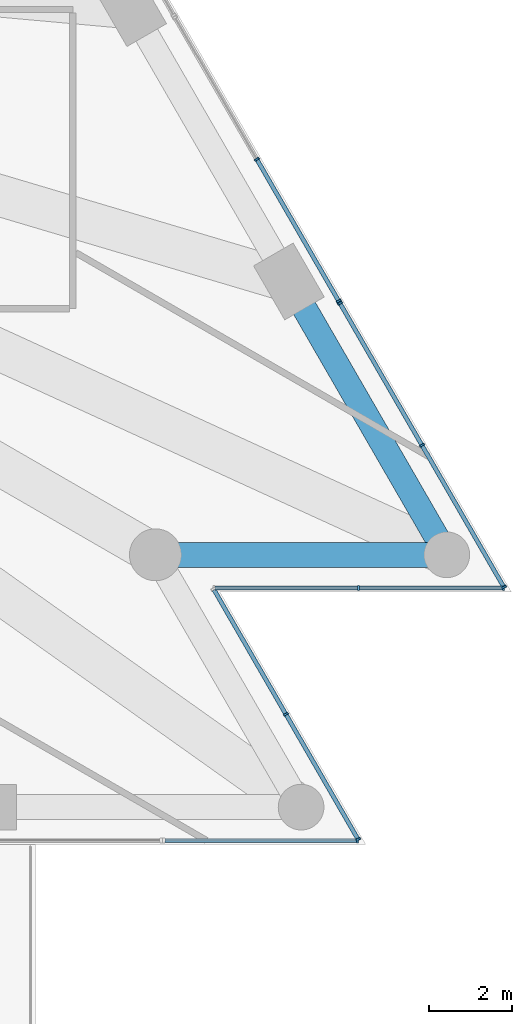
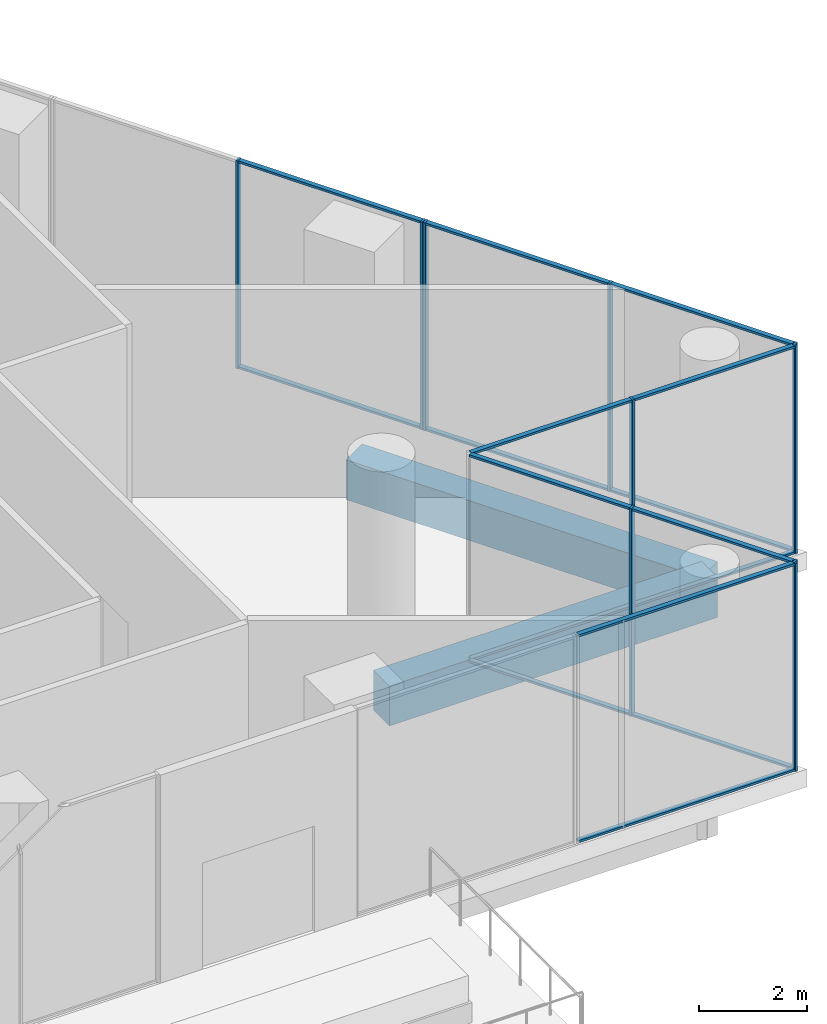
# One storey, part 18 of 28: 26 members, 2 beams, 5 elements without a shape of their own.
"""IFC4 building model written with IfcOpenShell, lengths in metres."""

from ifc_helpers import new_model, si_unit, direction, frame, origin, origin_2d, place, context, subcontext, project, spatial, rectangle, extrude, material, layer, layer_set, material_profile, profile_set, type_object, element, aggregate, save


model = new_model("IFC4")

# Units and contexts
model_context = context("Model", 3, precision=1e-05, world=origin(), true_north=direction((0.0, 1.0)))
body_context = subcontext(model_context, "Body", "Model", "MODEL_VIEW")
ifc_project = project(units=[si_unit("LENGTHUNIT", "METRE"), si_unit("AREAUNIT", "SQUARE_METRE"), si_unit("VOLUMEUNIT", "CUBIC_METRE"), si_unit("PLANEANGLEUNIT", "RADIAN"), si_unit("MASSUNIT", "GRAM", prefix="KILO")], contexts=[model_context])

# Site, building, storey
site_placement = place(None, origin())
site = spatial("IfcSite", under=ifc_project, at=site_placement, CompositionType="ELEMENT")
building_placement = place(site_placement, origin())
building = spatial("IfcBuilding", under=site, at=building_placement, Name="Triada Interchange Tower", CompositionType="ELEMENT")
storey_placement = place(building_placement, frame((0.0, 0.0, 30.300048828125)))
storey = spatial("IfcBuildingStorey", under=building, at=storey_placement, Name="L05", CompositionType="ELEMENT", Elevation=30.300048828125)

# Curtain wall, member
ifc_material_1 = material(Name="Aluminium framed glazing", Category="aluminium")
ifc_layer = layer(ifc_material_1, 0.199951171875)
ifc_layer_set = layer_set([ifc_layer], Name="Curtain wall Winter garden glazing")
curtain_wall_type = type_object("IfcCurtainWallType", Name="Curtain wall Winter garden glazing", PredefinedType="NOTDEFINED", material=ifc_layer_set)
curtain_wall_1_placement = place(storey_placement, origin())
curtain_wall_1 = element("IfcCurtainWall", 1, at=curtain_wall_1_placement, inside=storey, type_object=curtain_wall_type, Name="Winter garden glazing CW009 L05", PredefinedType="NOTDEFINED")
ifc_material_2 = material(Name="Aluminium", Category="aluminium")
ifc_material_profile_1 = material_profile(ifc_material_2, rectangle(XDim=0.1201171875, YDim=0.050048828125, at=origin_2d()), Name="Aluminium mullion")
ifc_profile_set_1 = profile_set([ifc_material_profile_1], Name="Aluminium")
member_type_1 = type_object("IfcMemberType", Name="Mullion Winter garden glazing 120x50", PredefinedType="MULLION", material=ifc_profile_set_1)
member_1_placement = place(storey_placement, frame((31.758056640625, -22.39990234375, 0.0), z_axis=(0.0, 0.0, 1.0), x_axis=(0.0, 1.0, 0.0)))
member_1 = element("IfcMember", 2, at=member_1_placement, type_object=member_type_1, Name="CW009 mullion 2", PredefinedType="MULLION", context=body_context, shape_type="SweptSolid", body=[
    extrude(rectangle(XDim=0.1201171875, YDim=0.050048828125, at=origin_2d()), origin(), (0.0, 0.0, 1.0), 4.699951171875),
])

# Curtain wall, members
curtain_wall_2_placement = place(storey_placement, origin())
curtain_wall_2 = element("IfcCurtainWall", 3, at=curtain_wall_2_placement, inside=storey, type_object=curtain_wall_type, Name="Winter garden glazing CW010 L05", PredefinedType="NOTDEFINED")
member_2_placement = place(storey_placement, frame((31.7705078125, -22.37841796875, 0.0), z_axis=(0.0, 0.0, 1.0), x_axis=(-0.866050272896, -0.499956922962, 0.0)))
member_2 = element("IfcMember", 4, at=member_2_placement, type_object=member_type_1, Name="CW010 mullion 1", PredefinedType="MULLION", context=body_context, shape_type="SweptSolid", body=[
    extrude(rectangle(XDim=0.1201171875, YDim=0.050048828125, at=origin_2d()), origin(), (0.0, 0.0, 1.0), 4.699951171875),
])
member_3_placement = place(storey_placement, frame((30.029541015625, -19.362548828125, 0.0), z_axis=(0.0, 0.0, 1.0), x_axis=(-0.866050272896, -0.499956922962, 0.0)))
member_3 = element("IfcMember", 5, at=member_3_placement, type_object=member_type_1, Name="CW010 mullion 2", PredefinedType="MULLION", context=body_context, shape_type="SweptSolid", body=[
    extrude(rectangle(XDim=0.1201171875, YDim=0.050048828125, at=origin_2d()), origin(), (0.0, 0.0, 1.0), 4.699951171875),
])

curtain_wall_3_placement = place(storey_placement, origin())
curtain_wall_3 = element("IfcCurtainWall", 6, at=curtain_wall_3_placement, inside=storey, type_object=curtain_wall_type, Name="Winter garden glazing CW011 L05", PredefinedType="NOTDEFINED")
member_4_placement = place(storey_placement, frame((31.783447265625, -16.324951171875, 0.0), z_axis=(0.0, 0.0, 1.0), x_axis=(0.0, 1.0, 0.0)))
member_4 = element("IfcMember", 7, at=member_4_placement, type_object=member_type_1, Name="CW011 mullion 2", PredefinedType="MULLION", context=body_context, shape_type="SweptSolid", body=[
    extrude(rectangle(XDim=0.1201171875, YDim=0.050048828125, at=origin_2d()), origin(), (0.0, 0.0, 1.0), 4.699951171875),
])
member_5_placement = place(storey_placement, frame((35.26611328125, -16.324951171875, 0.0), z_axis=(0.0, 0.0, 1.0), x_axis=(0.0, 1.0, 0.0)))
member_5 = element("IfcMember", 8, at=member_5_placement, type_object=member_type_1, Name="CW011 mullion 3", PredefinedType="MULLION", context=body_context, shape_type="SweptSolid", body=[
    extrude(rectangle(XDim=0.1201171875, YDim=0.050048828125, at=origin_2d()), origin(), (0.0, 0.0, 1.0), 4.699951171875),
])

curtain_wall_4_placement = place(storey_placement, origin())
curtain_wall_4 = element("IfcCurtainWall", 9, at=curtain_wall_4_placement, inside=storey, type_object=curtain_wall_type, Name="Winter garden glazing CW012 L05", PredefinedType="NOTDEFINED")
member_6_placement = place(storey_placement, frame((35.278564453125, -16.303466796875, 0.0), z_axis=(0.0, 0.0, 1.0), x_axis=(-0.86604927658, -0.499958648825, 0.0)))
member_6 = element("IfcMember", 10, at=member_6_placement, type_object=member_type_1, Name="CW012 mullion 1", PredefinedType="MULLION", context=body_context, shape_type="SweptSolid", body=[
    extrude(rectangle(XDim=0.1201171875, YDim=0.050048828125, at=origin_2d()), origin(), (0.0, 0.0, 1.0), 4.699951171875),
])
member_7_placement = place(storey_placement, frame((33.305908203125, -12.886474609375, 0.0), z_axis=(0.0, 0.0, 1.0), x_axis=(-0.86604927658, -0.499958648825, 0.0)))
member_7 = element("IfcMember", 11, at=member_7_placement, type_object=member_type_1, Name="CW012 mullion 2", PredefinedType="MULLION", context=body_context, shape_type="SweptSolid", body=[
    extrude(rectangle(XDim=0.1201171875, YDim=0.050048828125, at=origin_2d()), origin(), (0.0, 0.0, 1.0), 4.699951171875),
])
member_8_placement = place(storey_placement, frame((31.33349609375, -9.4697265625, 0.0), z_axis=(0.0, 0.0, 1.0), x_axis=(-0.86604927658, -0.499958648825, 0.0)))
member_8 = element("IfcMember", 12, at=member_8_placement, type_object=member_type_1, Name="CW012 mullion 3", PredefinedType="MULLION", context=body_context, shape_type="SweptSolid", body=[
    extrude(rectangle(XDim=0.1201171875, YDim=0.050048828125, at=origin_2d()), origin(), (0.0, 0.0, 1.0), 4.699951171875),
])

curtain_wall_5_placement = place(storey_placement, origin())
curtain_wall_5 = element("IfcCurtainWall", 13, at=curtain_wall_5_placement, inside=storey, type_object=curtain_wall_type, Name="Winter garden glazing CW013 L05", PredefinedType="NOTDEFINED")
member_9_placement = place(storey_placement, frame((31.302490234375, -9.417236328125, 0.0), z_axis=(0.0, 0.0, 1.0), x_axis=(-0.866055473648, -0.499947913852, 0.0)))
member_9 = element("IfcMember", 14, at=member_9_placement, type_object=member_type_1, Name="CW013 mullion 1", PredefinedType="MULLION", context=body_context, shape_type="SweptSolid", body=[
    extrude(rectangle(XDim=0.1201171875, YDim=0.050048828125, at=origin_2d()), origin(), (0.0, 0.0, 1.0), 4.699951171875),
])
member_10_placement = place(storey_placement, frame((29.33154296875, -6.0029296875, 0.0), z_axis=(0.0, 0.0, 1.0), x_axis=(-0.866055473648, -0.499947913852, 0.0)))
member_10 = element("IfcMember", 15, at=member_10_placement, type_object=member_type_1, Name="CW013 mullion 2", PredefinedType="MULLION", context=body_context, shape_type="SweptSolid", body=[
    extrude(rectangle(XDim=0.1201171875, YDim=0.050048828125, at=origin_2d()), origin(), (0.0, 0.0, 1.0), 4.699951171875),
])

# Beams
ifc_material_3 = material(Name="Concrete C50/60", Category="concrete")
ifc_material_profile_2 = material_profile(ifc_material_3, rectangle(XDim=0.60009765625, YDim=0.89990234375, at=origin_2d()), Name="RC 600x900")
ifc_profile_set_2 = profile_set([ifc_material_profile_2], Name="Concrete C50/60")
beam_type = type_object("IfcBeamType", Name="Spandrel beam P RC 600x900", PredefinedType="BEAM", material=ifc_profile_set_2)
beam_1_placement = place(storey_placement, frame((26.889892578125, -15.52490234375, -0.85009765625), z_axis=(1.0, 0.0, 0.0), x_axis=(0.0, 1.0, 0.0)))
element("IfcBeam", 16, at=beam_1_placement, inside=storey, type_object=beam_type, Name="Spandrel beam EP20 L05", PredefinedType="BEAM", context=body_context, shape_type="SweptSolid", body=[
    extrude(rectangle(XDim=0.60009765625, YDim=0.89990234375, at=origin_2d()), origin(), (0.0, 0.0, 1.0), 7.01513671875),
])
beam_2_placement = place(storey_placement, frame((33.905029296875, -15.52490234375, -0.85009765625), z_axis=(-0.500060803479, 0.865990296034, 0.0), x_axis=(-0.865990296034, -0.500060803479, 0.0)))
element("IfcBeam", 17, at=beam_2_placement, inside=storey, type_object=beam_type, Name="Spandrel beam EP21 L05", PredefinedType="BEAM", context=body_context, shape_type="SweptSolid", body=[
    extrude(rectangle(XDim=0.60009765625, YDim=0.89990234375, at=origin_2d()), origin(), (0.0, 0.0, 1.0), 7.59912109375),
])

# Member
ifc_material_profile_3 = material_profile(ifc_material_2, rectangle(XDim=0.10009765625, YDim=0.050048828125, at=origin_2d()), Name="Aluminium transom")
ifc_profile_set_3 = profile_set([ifc_material_profile_3], Name="Aluminium")
member_type_2 = type_object("IfcMemberType", Name="Transom Winter garden glazing 100x50", PredefinedType="USERDEFINED", material=ifc_profile_set_3)
member_11_placement = place(storey_placement, frame((27.114990234375, -22.39990234375, 0.02490234375), z_axis=(1.0, 0.0, 0.0), x_axis=(0.0, 1.0, 0.0)))
member_11 = element("IfcMember", 18, at=member_11_placement, type_object=member_type_2, Name="CW009 transom 1.1", ObjectType="TRANSOM", PredefinedType="USERDEFINED", context=body_context, shape_type="SweptSolid", body=[
    extrude(rectangle(XDim=0.10009765625, YDim=0.050048828125, at=origin_2d()), origin(), (0.0, 0.0, 1.0), 4.617919921875),
])

member_12_placement = place(storey_placement, frame((27.114990234375, -22.39990234375, 4.675048828125), z_axis=(1.0, 0.0, 0.0), x_axis=(0.0, 1.0, 0.0)))
member_12 = element("IfcMember", 19, at=member_12_placement, type_object=member_type_2, Name="CW009 transom 1.2", ObjectType="TRANSOM", PredefinedType="USERDEFINED", context=body_context, shape_type="SweptSolid", body=[
    extrude(rectangle(XDim=0.10009765625, YDim=0.050048828125, at=origin_2d()), origin(), (0.0, 0.0, 1.0), 4.617919921875),
])

aggregate(curtain_wall_1, [member_1, member_11, member_12])

member_13_placement = place(storey_placement, frame((31.758056640625, -22.356689453125, 0.02490234375), z_axis=(-0.499956422411, 0.866050561855, 0.0), x_axis=(-0.866050561855, -0.499956422411, 0.0)))
member_13 = element("IfcMember", 20, at=member_13_placement, type_object=member_type_2, Name="CW010 transom 1.1", ObjectType="TRANSOM", PredefinedType="USERDEFINED", context=body_context, shape_type="SweptSolid", body=[
    extrude(rectangle(XDim=0.10009765625, YDim=0.050048828125, at=origin_2d()), origin(), (0.0, 0.0, 1.0), 3.432373046875),
])

member_14_placement = place(storey_placement, frame((31.758056640625, -22.356689453125, 4.675048828125), z_axis=(-0.499956422411, 0.866050561855, 0.0), x_axis=(-0.866050561855, -0.499956422411, 0.0)))
member_14 = element("IfcMember", 21, at=member_14_placement, type_object=member_type_2, Name="CW010 transom 1.2", ObjectType="TRANSOM", PredefinedType="USERDEFINED", context=body_context, shape_type="SweptSolid", body=[
    extrude(rectangle(XDim=0.10009765625, YDim=0.050048828125, at=origin_2d()), origin(), (0.0, 0.0, 1.0), 3.432373046875),
])

member_15_placement = place(storey_placement, frame((30.01708984375, -19.3408203125, 0.02490234375), z_axis=(-0.499987221389, 0.866032781393, 0.0), x_axis=(-0.866032781393, -0.499987221389, 0.0)))
member_15 = element("IfcMember", 22, at=member_15_placement, type_object=member_type_2, Name="CW010 transom 2.1", ObjectType="TRANSOM", PredefinedType="USERDEFINED", context=body_context, shape_type="SweptSolid", body=[
    extrude(rectangle(XDim=0.10009765625, YDim=0.050048828125, at=origin_2d()), origin(), (0.0, 0.0, 1.0), 3.43212890625),
])

member_16_placement = place(storey_placement, frame((30.01708984375, -19.3408203125, 4.675048828125), z_axis=(-0.499987221389, 0.866032781393, 0.0), x_axis=(-0.866032781393, -0.499987221389, 0.0)))
member_16 = element("IfcMember", 23, at=member_16_placement, type_object=member_type_2, Name="CW010 transom 2.2", ObjectType="TRANSOM", PredefinedType="USERDEFINED", context=body_context, shape_type="SweptSolid", body=[
    extrude(rectangle(XDim=0.10009765625, YDim=0.050048828125, at=origin_2d()), origin(), (0.0, 0.0, 1.0), 3.43212890625),
])

aggregate(curtain_wall_2, [member_2, member_3, member_13, member_14, member_15, member_16])

member_17_placement = place(storey_placement, frame((28.325927734375, -16.324951171875, 0.02490234375), z_axis=(1.0, 0.0, 0.0), x_axis=(0.0, 1.0, 0.0)))
member_17 = element("IfcMember", 24, at=member_17_placement, type_object=member_type_2, Name="CW011 transom 1.1", ObjectType="TRANSOM", PredefinedType="USERDEFINED", context=body_context, shape_type="SweptSolid", body=[
    extrude(rectangle(XDim=0.10009765625, YDim=0.050048828125, at=origin_2d()), origin(), (0.0, 0.0, 1.0), 3.4326171875),
])

member_18_placement = place(storey_placement, frame((28.325927734375, -16.324951171875, 4.675048828125), z_axis=(1.0, 0.0, 0.0), x_axis=(0.0, 1.0, 0.0)))
member_18 = element("IfcMember", 25, at=member_18_placement, type_object=member_type_2, Name="CW011 transom 1.2", ObjectType="TRANSOM", PredefinedType="USERDEFINED", context=body_context, shape_type="SweptSolid", body=[
    extrude(rectangle(XDim=0.10009765625, YDim=0.050048828125, at=origin_2d()), origin(), (0.0, 0.0, 1.0), 3.4326171875),
])

member_19_placement = place(storey_placement, frame((31.80859375, -16.324951171875, 0.02490234375), z_axis=(1.0, 0.0, 0.0), x_axis=(0.0, 1.0, 0.0)))
member_19 = element("IfcMember", 26, at=member_19_placement, type_object=member_type_2, Name="CW011 transom 2.1", ObjectType="TRANSOM", PredefinedType="USERDEFINED", context=body_context, shape_type="SweptSolid", body=[
    extrude(rectangle(XDim=0.10009765625, YDim=0.050048828125, at=origin_2d()), origin(), (0.0, 0.0, 1.0), 3.432373046875),
])

member_20_placement = place(storey_placement, frame((31.80859375, -16.324951171875, 4.675048828125), z_axis=(1.0, 0.0, 0.0), x_axis=(0.0, 1.0, 0.0)))
member_20 = element("IfcMember", 27, at=member_20_placement, type_object=member_type_2, Name="CW011 transom 2.2", ObjectType="TRANSOM", PredefinedType="USERDEFINED", context=body_context, shape_type="SweptSolid", body=[
    extrude(rectangle(XDim=0.10009765625, YDim=0.050048828125, at=origin_2d()), origin(), (0.0, 0.0, 1.0), 3.432373046875),
])

aggregate(curtain_wall_3, [member_4, member_5, member_17, member_18, member_19, member_20])

member_21_placement = place(storey_placement, frame((35.26611328125, -16.28173828125, 0.02490234375), z_axis=(-0.499961171201, 0.866047820441, 0.0), x_axis=(-0.866047820441, -0.499961171201, 0.0)))
member_21 = element("IfcMember", 28, at=member_21_placement, type_object=member_type_2, Name="CW012 transom 1.1", ObjectType="TRANSOM", PredefinedType="USERDEFINED", context=body_context, shape_type="SweptSolid", body=[
    extrude(rectangle(XDim=0.10009765625, YDim=0.050048828125, at=origin_2d()), origin(), (0.0, 0.0, 1.0), 3.895263671875),
])

member_22_placement = place(storey_placement, frame((35.26611328125, -16.28173828125, 4.675048828125), z_axis=(-0.499961171201, 0.866047820441, 0.0), x_axis=(-0.866047820441, -0.499961171201, 0.0)))
member_22 = element("IfcMember", 29, at=member_22_placement, type_object=member_type_2, Name="CW012 transom 1.2", ObjectType="TRANSOM", PredefinedType="USERDEFINED", context=body_context, shape_type="SweptSolid", body=[
    extrude(rectangle(XDim=0.10009765625, YDim=0.050048828125, at=origin_2d()), origin(), (0.0, 0.0, 1.0), 3.895263671875),
])

member_23_placement = place(storey_placement, frame((33.29345703125, -12.86474609375, 0.02490234375), z_axis=(-0.499961171201, 0.866047820441, 0.0), x_axis=(-0.866047820441, -0.499961171201, 0.0)))
member_23 = element("IfcMember", 30, at=member_23_placement, type_object=member_type_2, Name="CW012 transom 2.1", ObjectType="TRANSOM", PredefinedType="USERDEFINED", context=body_context, shape_type="SweptSolid", body=[
    extrude(rectangle(XDim=0.10009765625, YDim=0.050048828125, at=origin_2d()), origin(), (0.0, 0.0, 1.0), 3.895263671875),
])

member_24_placement = place(storey_placement, frame((33.29345703125, -12.86474609375, 4.675048828125), z_axis=(-0.499961171201, 0.866047820441, 0.0), x_axis=(-0.866047820441, -0.499961171201, 0.0)))
member_24 = element("IfcMember", 31, at=member_24_placement, type_object=member_type_2, Name="CW012 transom 2.2", ObjectType="TRANSOM", PredefinedType="USERDEFINED", context=body_context, shape_type="SweptSolid", body=[
    extrude(rectangle(XDim=0.10009765625, YDim=0.050048828125, at=origin_2d()), origin(), (0.0, 0.0, 1.0), 3.895263671875),
])

aggregate(curtain_wall_4, [member_6, member_7, member_8, member_21, member_22, member_23, member_24])

member_25_placement = place(storey_placement, frame((31.2900390625, -9.395751953125, 0.02490234375), z_axis=(-0.499950487857, 0.866053987747, 0.0), x_axis=(-0.866053987747, -0.499950487857, 0.0)))
member_25 = element("IfcMember", 32, at=member_25_placement, type_object=member_type_2, Name="CW013 transom 1.1", ObjectType="TRANSOM", PredefinedType="USERDEFINED", context=body_context, shape_type="SweptSolid", body=[
    extrude(rectangle(XDim=0.10009765625, YDim=0.050048828125, at=origin_2d()), origin(), (0.0, 0.0, 1.0), 3.892578125),
])

member_26_placement = place(storey_placement, frame((31.2900390625, -9.395751953125, 4.675048828125), z_axis=(-0.499950487857, 0.866053987747, 0.0), x_axis=(-0.866053987747, -0.499950487857, 0.0)))
member_26 = element("IfcMember", 33, at=member_26_placement, type_object=member_type_2, Name="CW013 transom 1.2", ObjectType="TRANSOM", PredefinedType="USERDEFINED", context=body_context, shape_type="SweptSolid", body=[
    extrude(rectangle(XDim=0.10009765625, YDim=0.050048828125, at=origin_2d()), origin(), (0.0, 0.0, 1.0), 3.892578125),
])

aggregate(curtain_wall_5, [member_9, member_10, member_25, member_26])

save(model, "model.ifc")
